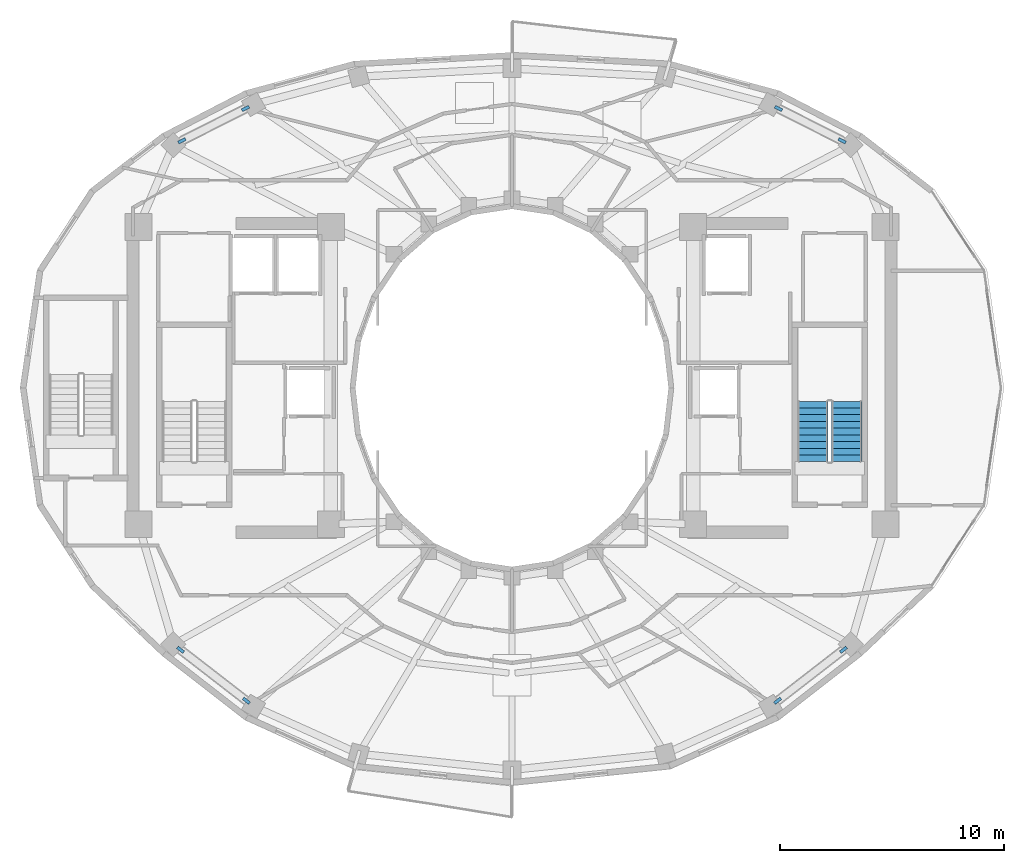
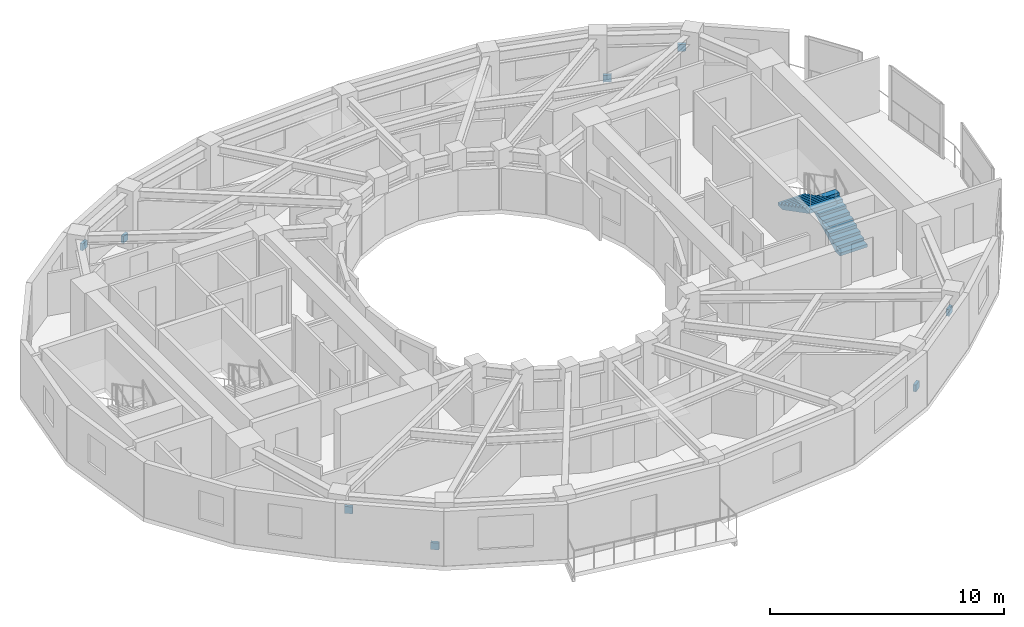
# One storey, part 10 of 12: 8 discrete accessories, 2 stair flights, 1 element without a shape of its own.
"""IFC4 building model written with IfcOpenShell, lengths in metres."""

from ifc_helpers import new_model, si_unit, direction, frame, origin, origin_2d, place, context, subcontext, project, spatial, polyline, rectangle, outline, extrude, material, layer, layer_set, type_object, element, aggregate, save


model = new_model("IFC4")

# Units and contexts
model_context = context("Model", 3, precision=1e-05, world=origin(), true_north=direction((0.0, 1.0)))
body_context = subcontext(model_context, "Body", "Model", "MODEL_VIEW")
ifc_project = project(units=[si_unit("LENGTHUNIT", "METRE"), si_unit("AREAUNIT", "SQUARE_METRE"), si_unit("VOLUMEUNIT", "CUBIC_METRE"), si_unit("PLANEANGLEUNIT", "RADIAN"), si_unit("MASSUNIT", "GRAM", prefix="KILO")], contexts=[model_context])

# Site, building, storey
site_placement = place(None, origin())
site = spatial("IfcSite", under=ifc_project, at=site_placement, CompositionType="ELEMENT")
building_placement = place(site_placement, origin())
building = spatial("IfcBuilding", under=site, at=building_placement, Name="Solvane Sanctuary Tower", CompositionType="ELEMENT")
storey_placement = place(building_placement, frame((0.0, 0.0, 214.0)))
storey = spatial("IfcBuildingStorey", under=building, at=storey_placement, Name="L65", CompositionType="ELEMENT", Elevation=214.0)

# Stair, stair flights
ifc_material_1 = material(Name="Concrete C45/55", Category="concrete")
stair_type = type_object("IfcStairType", Name="Stair ST-TOW", PredefinedType="HALF_TURN_STAIR", material=ifc_material_1)
stair_placement = place(storey_placement, origin())
stair = element("IfcStair", 1, at=stair_placement, inside=storey, type_object=stair_type, Name="L65 Exit Stair ST-2 East Core", PredefinedType="HALF_TURN_STAIR")
stair_flight_type = type_object("IfcStairFlightType", Name="StairFlight SF-TOW", PredefinedType="STRAIGHT", material=ifc_material_1)
stair_flight_1_placement = place(storey_placement, frame((46.965087890625, 19.699951171875, 0.0), z_axis=(0.0, 0.0, 1.0), x_axis=(0.0, 1.0, 0.0)))
stair_flight_1 = element("IfcStairFlight", 2, at=stair_flight_1_placement, type_object=stair_flight_type, Name="ST-2 flight 1", NumberOfRisers=10, NumberOfTreads=9, PredefinedType="STRAIGHT", RiserHeight=0.155, TreadLength=0.3, context=body_context, shape_type="SweptSolid", body=[
    extrude(outline(polyline([(0.0, 0.0), (0.0, 0.155029296875), (0.300048828125, 0.155029296875), (0.300048828125, 0.31005859375), (0.60009765625, 0.31005859375), (0.60009765625, 0.465087890625), (0.89990234375, 0.465087890625), (0.89990234375, 0.6201171875), (1.199951171875, 0.6201171875), (1.199951171875, 0.77490234375), (1.5, 0.77490234375), (1.5, 0.929931640625), (1.800048828125, 0.929931640625), (1.800048828125, 1.0849609375), (2.10009765625, 1.0849609375), (2.10009765625, 1.239990234375), (2.39990234375, 1.239990234375), (2.39990234375, 1.39501953125), (2.699951171875, 1.39501953125), (2.699951171875, 1.550048828125), (2.699951171875, 1.1923828125), (0.39208984375, 0.0), (0.0, 0.0)])), frame((0.0, 0.675048828125, 0.0), z_axis=(0.0, -1.0, 0.0), x_axis=(1.0, 0.0, 0.0)), (0.0, 0.0, 1.0), 1.35009765625),
])
stair_flight_2_placement = place(storey_placement, frame((45.455078125, 22.39990234375, 1.550048828125), z_axis=(0.0, 0.0, 1.0), x_axis=(0.0, -1.0, 0.0)))
stair_flight_2 = element("IfcStairFlight", 3, at=stair_flight_2_placement, type_object=stair_flight_type, Name="ST-2 flight 2", NumberOfRisers=10, NumberOfTreads=9, PredefinedType="STRAIGHT", RiserHeight=0.155, TreadLength=0.3, context=body_context, shape_type="SweptSolid", body=[
    extrude(outline(polyline([(0.0, 0.0), (0.0, 0.155029296875), (0.300048828125, 0.155029296875), (0.300048828125, 0.31005859375), (0.60009765625, 0.31005859375), (0.60009765625, 0.465087890625), (0.89990234375, 0.465087890625), (0.89990234375, 0.6201171875), (1.199951171875, 0.6201171875), (1.199951171875, 0.77490234375), (1.5, 0.77490234375), (1.5, 0.929931640625), (1.800048828125, 0.929931640625), (1.800048828125, 1.0849609375), (2.10009765625, 1.0849609375), (2.10009765625, 1.239990234375), (2.39990234375, 1.239990234375), (2.39990234375, 1.39501953125), (2.699951171875, 1.39501953125), (2.699951171875, 1.550048828125), (2.699951171875, 1.1923828125), (0.39208984375, 0.0), (0.0, 0.0)])), frame((0.0, 0.675048828125, 0.0), z_axis=(0.0, -1.0, 0.0), x_axis=(1.0, 0.0, 0.0)), (0.0, 0.0, 1.0), 1.35009765625),
])
aggregate(stair, [stair_flight_1, stair_flight_2])

# Discrete accessories
ifc_material_2 = material(Name="Steel ASTM A572 Grade 50", Category="steel")
ifc_layer = layer(ifc_material_2, 0.360107421875, Name="Steel ASTM A572 Grade 50")
ifc_layer_set = layer_set([ifc_layer], Name="Steel ASTM A572 Grade 50")
discrete_accessory_type = type_object("IfcDiscreteAccessoryType", Name="Accessory ACC-GUSSET-BRK", PredefinedType="BRACKET", material=ifc_layer_set)
for number, where, z_axis, x_axis, name in (
    (4, (43.916748046875, 35.48974609375, 0.38818359375), (0.0, 0.0, 1.0), (0.892349617181, -0.451344835704, 0.0), "L65 Perimeter Braced-Tube Diagonal NE End Gusset Bracket A"),
    (5, (46.76513671875, 34.049072265625, 1.8720703125), (0.0, 0.0, 1.0), (0.892349617181, -0.451344835704, 0.0), "L65 Perimeter Braced-Tube Diagonal NE End Gusset Bracket B"),
    (6, (20.083251953125, 35.48974609375, 0.38818359375), (0.0, 0.0, 1.0), (-0.892349617181, -0.451344835704, 0.0), "L65 Perimeter Braced-Tube Diagonal NW End Gusset Bracket A"),
    (7, (17.23486328125, 34.049072265625, 1.8720703125), (0.0, 0.0, 1.0), (-0.892349617181, -0.451344835704, 0.0), "L65 Perimeter Braced-Tube Diagonal NW End Gusset Bracket B"),
    (8, (20.1220703125, 9.008544921875, 0.3681640625), (0.0, 0.0, 1.0), (-0.790689573744, 0.612217280034, 0.0), "L65 Perimeter Braced-Tube Diagonal SW End Gusset Bracket A"),
    (9, (17.177490234375, 11.28857421875, 1.90185546875), (0.0, 0.0, 1.0), (-0.790689573744, 0.612217280034, 0.0), "L65 Perimeter Braced-Tube Diagonal SW End Gusset Bracket B"),
    (10, (43.8779296875, 9.008544921875, 0.3681640625), (0.0, 0.0, 1.0), (0.790689573744, 0.612217280034, 0.0), "L65 Perimeter Braced-Tube Diagonal SE End Gusset Bracket A"),
    (11, (46.822509765625, 11.28857421875, 1.90185546875), (0.0, 0.0, 1.0), (0.790689573744, 0.612217280034, 0.0), "L65 Perimeter Braced-Tube Diagonal SE End Gusset Bracket B"),
):
    element("IfcDiscreteAccessory", number, at=place(storey_placement, frame(where, z_axis=z_axis, x_axis=x_axis)), inside=storey, type_object=discrete_accessory_type, Name=name, PredefinedType="BRACKET", context=body_context, shape_type="SweptSolid", body=[
        extrude(rectangle(XDim=0.360107421875, YDim=0.139892578125, at=origin_2d()), origin(), (0.0, 0.0, 1.0), 0.360107421875),
    ])

save(model, "model.ifc")
